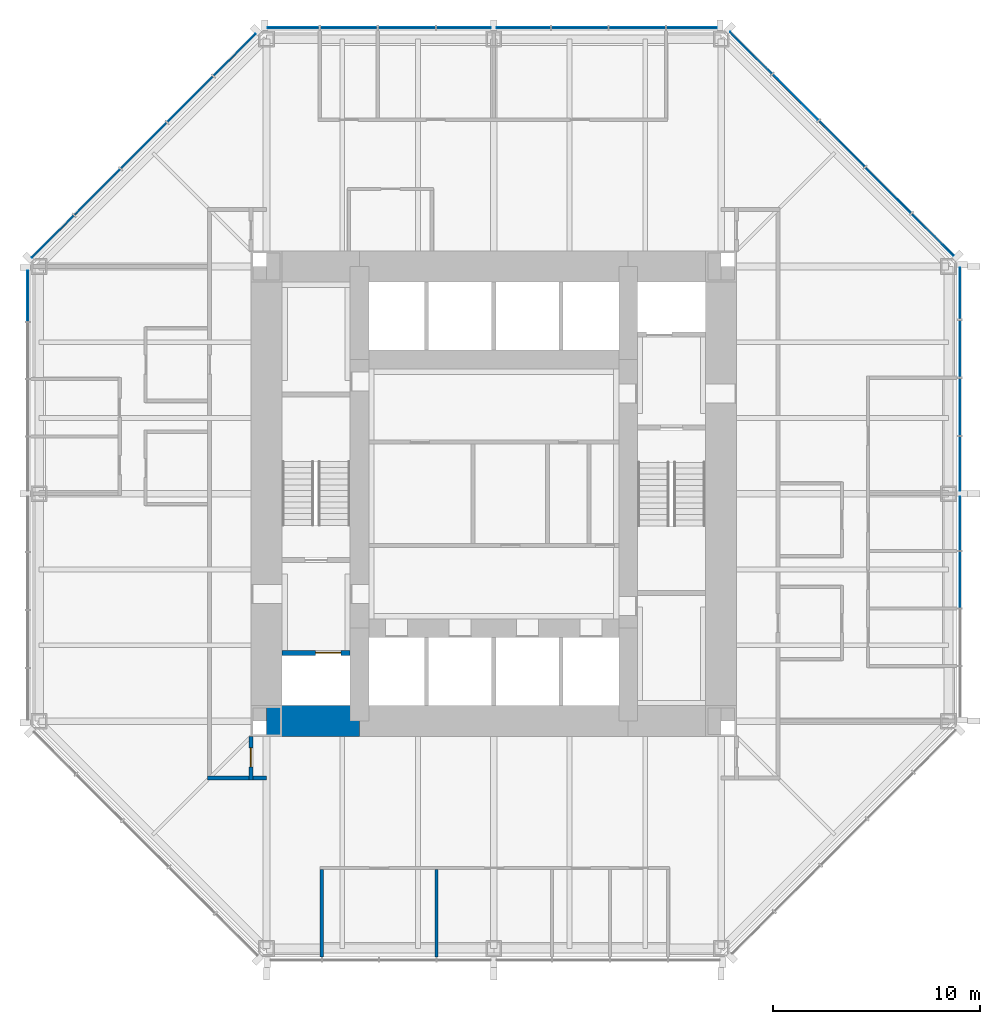
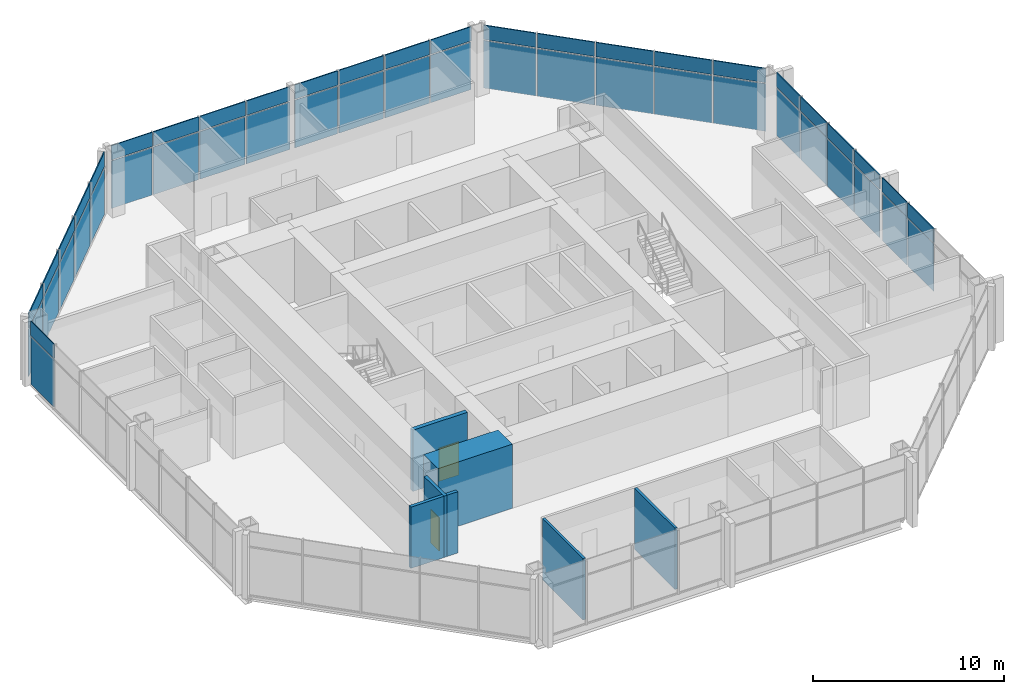
# One storey, part 8 of 12: 50 plates, 6 walls, 2 doors, 2 openings, 5 elements without a shape of their own.
"""IFC4 building model written with IfcOpenShell, lengths in metres."""

from ifc_helpers import new_model, si_unit, direction, frame, frame_2d, origin, origin_2d, place, context, subcontext, project, spatial, rectangle, extrude, material, layer, layer_set, type_object, element, fill, aggregate, save


model = new_model("IFC4")

# Units and contexts
model_context = context("Model", 3, precision=1e-05, world=origin(), true_north=direction((0.0, 1.0)))
body_context = subcontext(model_context, "Body", "Model", "MODEL_VIEW")
ifc_project = project(units=[si_unit("LENGTHUNIT", "METRE"), si_unit("AREAUNIT", "SQUARE_METRE"), si_unit("VOLUMEUNIT", "CUBIC_METRE"), si_unit("PLANEANGLEUNIT", "RADIAN"), si_unit("MASSUNIT", "GRAM", prefix="KILO")], contexts=[model_context])

# Site, building, storey
site_placement = place(None, origin())
site = spatial("IfcSite", under=ifc_project, at=site_placement, CompositionType="ELEMENT")
building_placement = place(site_placement, origin())
building = spatial("IfcBuilding", under=site, at=building_placement, Name="Trevanion Tower", CompositionType="ELEMENT")
storey_placement = place(building_placement, frame((0.0, 0.0, 137.699951171875)))
storey = spatial("IfcBuildingStorey", under=building, at=storey_placement, Name="L32", CompositionType="ELEMENT", Elevation=137.699951171875)

# Curtain wall, plates
ifc_material_1 = material(Name="Aluminium and glass", Category="aluminium")
curtain_wall_type = type_object("IfcCurtainWallType", Name="CW2 curtain wall", PredefinedType="USERDEFINED", material=ifc_material_1)
curtain_wall_1_placement = place(storey_placement, origin())
curtain_wall_1 = element("IfcCurtainWall", 1, at=curtain_wall_1_placement, inside=storey, type_object=curtain_wall_type, Name="CW2 L32 0", ObjectType="UNITISED CURTAIN WALL", PredefinedType="USERDEFINED")
ifc_material_2 = material(Name="Aluminium spandrel panel", Category="aluminium")
ifc_layer_1 = layer(ifc_material_2, 0.06005859375)
ifc_layer_set_1 = layer_set([ifc_layer_1], Name="CW2 spandrel panel")
plate_type_1 = type_object("IfcPlateType", Name="CW2 spandrel panel", PredefinedType="CURTAIN_PANEL", material=ifc_layer_set_1)
plate_1_placement = place(storey_placement, frame((22.550048828125, -4.16162109375, 2.99755859375), z_axis=(0.0, 0.0, 1.0), x_axis=(0.0, 1.0, 0.0)))
plate_1 = element("IfcPlate", 2, at=plate_1_placement, type_object=plate_type_1, Name="CW2 panel 3.2", PredefinedType="CURTAIN_PANEL", context=body_context, shape_type="SweptSolid", body=[
    extrude(rectangle(XDim=2.699462890625, YDim=0.06005859375, at=origin_2d()), origin(), (0.0, 0.0, 1.0), 0.91259765625),
])
plate_2_placement = place(storey_placement, frame((22.550048828125, -1.443603515625, 2.99755859375), z_axis=(0.0, 0.0, 1.0), x_axis=(0.0, 1.0, 0.0)))
plate_2 = element("IfcPlate", 3, at=plate_2_placement, type_object=plate_type_1, Name="CW2 panel 4.2", PredefinedType="CURTAIN_PANEL", context=body_context, shape_type="SweptSolid", body=[
    extrude(rectangle(XDim=2.5869140625, YDim=0.06005859375, at=origin_2d()), origin(), (0.0, 0.0, 1.0), 0.91259765625),
])
plate_3_placement = place(storey_placement, frame((22.550048828125, 1.459716796875, 2.99755859375), z_axis=(0.0, 0.0, 1.0), x_axis=(0.0, 1.0, 0.0)))
plate_3 = element("IfcPlate", 4, at=plate_3_placement, type_object=plate_type_1, Name="CW2 panel 5.2", PredefinedType="CURTAIN_PANEL", context=body_context, shape_type="SweptSolid", body=[
    extrude(rectangle(XDim=2.619384765625, YDim=0.06005859375, at=origin_2d()), origin(), (0.0, 0.0, 1.0), 0.91259765625),
])
plate_4_placement = place(storey_placement, frame((22.550048828125, 4.21044921875, 2.99755859375), z_axis=(0.0, 0.0, 1.0), x_axis=(0.0, 1.0, 0.0)))
plate_4 = element("IfcPlate", 5, at=plate_4_placement, type_object=plate_type_1, Name="CW2 panel 6.2", PredefinedType="CURTAIN_PANEL", context=body_context, shape_type="SweptSolid", body=[
    extrude(rectangle(XDim=2.73193359375, YDim=0.06005859375, at=origin_2d()), origin(), (0.0, 0.0, 1.0), 0.91259765625),
])
plate_5_placement = place(storey_placement, frame((22.550048828125, 7.017333984375, 2.99755859375), z_axis=(0.0, 0.0, 1.0), x_axis=(0.0, 1.0, 0.0)))
plate_5 = element("IfcPlate", 6, at=plate_5_placement, type_object=plate_type_1, Name="CW2 panel 7.2", PredefinedType="CURTAIN_PANEL", context=body_context, shape_type="SweptSolid", body=[
    extrude(rectangle(XDim=2.73193359375, YDim=0.06005859375, at=origin_2d()), origin(), (0.0, 0.0, 1.0), 0.91259765625),
])
plate_6_placement = place(storey_placement, frame((22.550048828125, 9.693115234375, 2.99755859375), z_axis=(0.0, 0.0, 1.0), x_axis=(0.0, 1.0, 0.0)))
plate_6 = element("IfcPlate", 7, at=plate_6_placement, type_object=plate_type_1, Name="CW2 panel 8.2", PredefinedType="CURTAIN_PANEL", context=body_context, shape_type="SweptSolid", body=[
    extrude(rectangle(XDim=2.469482421875, YDim=0.06005859375, at=origin_2d()), origin(), (0.0, 0.0, 1.0), 0.91259765625),
])

curtain_wall_2_placement = place(storey_placement, origin())
curtain_wall_2 = element("IfcCurtainWall", 8, at=curtain_wall_2_placement, inside=storey, type_object=curtain_wall_type, Name="CW2 L32 1", ObjectType="UNITISED CURTAIN WALL", PredefinedType="USERDEFINED")
plate_7_placement = place(storey_placement, frame((21.2421875, 12.53564453125, 2.99755859375), z_axis=(0.0, 0.0, 1.0), x_axis=(-0.707106781187, 0.707106781187, 0.0)))
plate_7 = element("IfcPlate", 9, at=plate_7_placement, type_object=plate_type_1, Name="CW2 panel 1.2", PredefinedType="CURTAIN_PANEL", context=body_context, shape_type="SweptSolid", body=[
    extrude(rectangle(XDim=2.8388671875, YDim=0.06005859375, at=origin_2d()), origin(), (0.0, 0.0, 1.0), 0.91259765625),
])
plate_8_placement = place(storey_placement, frame((19.089111328125, 14.688720703125, 2.99755859375), z_axis=(0.0, 0.0, 1.0), x_axis=(-0.707106781187, 0.707106781187, 0.0)))
plate_8 = element("IfcPlate", 10, at=plate_8_placement, type_object=plate_type_1, Name="CW2 panel 2.2", PredefinedType="CURTAIN_PANEL", context=body_context, shape_type="SweptSolid", body=[
    extrude(rectangle(XDim=3.101318359375, YDim=0.06005859375, at=origin_2d()), origin(), (0.0, 0.0, 1.0), 0.91259765625),
])
plate_9_placement = place(storey_placement, frame((16.843017578125, 16.934814453125, 2.99755859375), z_axis=(0.0, 0.0, 1.0), x_axis=(-0.707106781187, 0.707106781187, 0.0)))
plate_9 = element("IfcPlate", 11, at=plate_9_placement, type_object=plate_type_1, Name="CW2 panel 3.2", PredefinedType="CURTAIN_PANEL", context=body_context, shape_type="SweptSolid", body=[
    extrude(rectangle(XDim=3.101318359375, YDim=0.06005859375, at=origin_2d()), origin(), (0.0, 0.0, 1.0), 0.91259765625),
])
plate_10_placement = place(storey_placement, frame((14.596923828125, 19.180908203125, 2.99755859375), z_axis=(0.0, 0.0, 1.0), x_axis=(-0.707106781187, 0.707106781187, 0.0)))
plate_10 = element("IfcPlate", 12, at=plate_10_placement, type_object=plate_type_1, Name="CW2 panel 4.2", PredefinedType="CURTAIN_PANEL", context=body_context, shape_type="SweptSolid", body=[
    extrude(rectangle(XDim=3.101318359375, YDim=0.06005859375, at=origin_2d()), origin(), (0.0, 0.0, 1.0), 0.91259765625),
])
plate_11_placement = place(storey_placement, frame((12.443603515625, 21.334228515625, 2.99755859375), z_axis=(0.0, 0.0, 1.0), x_axis=(-0.707106781187, 0.707106781187, 0.0)))
plate_11 = element("IfcPlate", 13, at=plate_11_placement, type_object=plate_type_1, Name="CW2 panel 5.2", PredefinedType="CURTAIN_PANEL", context=body_context, shape_type="SweptSolid", body=[
    extrude(rectangle(XDim=2.8388671875, YDim=0.06005859375, at=origin_2d()), origin(), (0.0, 0.0, 1.0), 0.91259765625),
])

curtain_wall_3_placement = place(storey_placement, origin())
curtain_wall_3 = element("IfcCurtainWall", 14, at=curtain_wall_3_placement, inside=storey, type_object=curtain_wall_type, Name="CW2 L32 2", ObjectType="UNITISED CURTAIN WALL", PredefinedType="USERDEFINED")
plate_12_placement = place(storey_placement, frame((9.579345703125, 22.550048828125, 2.99755859375), z_axis=(0.0, 0.0, 1.0), x_axis=(-1.0, 0.0, 0.0)))
plate_12 = element("IfcPlate", 15, at=plate_12_placement, type_object=plate_type_1, Name="CW2 panel 1.2", PredefinedType="CURTAIN_PANEL", context=body_context, shape_type="SweptSolid", body=[
    extrude(rectangle(XDim=2.43701171875, YDim=0.06005859375, at=origin_2d()), origin(), (0.0, 0.0, 1.0), 0.91259765625),
])
plate_13_placement = place(storey_placement, frame((6.93603515625, 22.550048828125, 2.99755859375), z_axis=(0.0, 0.0, 1.0), x_axis=(-1.0, 0.0, 0.0)))
plate_13 = element("IfcPlate", 16, at=plate_13_placement, type_object=plate_type_1, Name="CW2 panel 2.2", PredefinedType="CURTAIN_PANEL", context=body_context, shape_type="SweptSolid", body=[
    extrude(rectangle(XDim=2.699462890625, YDim=0.06005859375, at=origin_2d()), origin(), (0.0, 0.0, 1.0), 0.91259765625),
])
plate_14_placement = place(storey_placement, frame((4.16162109375, 22.550048828125, 2.99755859375), z_axis=(0.0, 0.0, 1.0), x_axis=(-1.0, 0.0, 0.0)))
plate_14 = element("IfcPlate", 17, at=plate_14_placement, type_object=plate_type_1, Name="CW2 panel 3.2", PredefinedType="CURTAIN_PANEL", context=body_context, shape_type="SweptSolid", body=[
    extrude(rectangle(XDim=2.699462890625, YDim=0.06005859375, at=origin_2d()), origin(), (0.0, 0.0, 1.0), 0.91259765625),
])
plate_15_placement = place(storey_placement, frame((1.443603515625, 22.550048828125, 2.99755859375), z_axis=(0.0, 0.0, 1.0), x_axis=(-1.0, 0.0, 0.0)))
plate_15 = element("IfcPlate", 18, at=plate_15_placement, type_object=plate_type_1, Name="CW2 panel 4.2", PredefinedType="CURTAIN_PANEL", context=body_context, shape_type="SweptSolid", body=[
    extrude(rectangle(XDim=2.5869140625, YDim=0.06005859375, at=origin_2d()), origin(), (0.0, 0.0, 1.0), 0.91259765625),
])
plate_16_placement = place(storey_placement, frame((-1.459716796875, 22.550048828125, 2.99755859375), z_axis=(0.0, 0.0, 1.0), x_axis=(-1.0, 0.0, 0.0)))
plate_16 = element("IfcPlate", 19, at=plate_16_placement, type_object=plate_type_1, Name="CW2 panel 5.2", PredefinedType="CURTAIN_PANEL", context=body_context, shape_type="SweptSolid", body=[
    extrude(rectangle(XDim=2.619384765625, YDim=0.06005859375, at=origin_2d()), origin(), (0.0, 0.0, 1.0), 0.91259765625),
])
plate_17_placement = place(storey_placement, frame((-4.21044921875, 22.550048828125, 2.99755859375), z_axis=(0.0, 0.0, 1.0), x_axis=(-1.0, 0.0, 0.0)))
plate_17 = element("IfcPlate", 20, at=plate_17_placement, type_object=plate_type_1, Name="CW2 panel 6.2", PredefinedType="CURTAIN_PANEL", context=body_context, shape_type="SweptSolid", body=[
    extrude(rectangle(XDim=2.73193359375, YDim=0.06005859375, at=origin_2d()), origin(), (0.0, 0.0, 1.0), 0.91259765625),
])
plate_18_placement = place(storey_placement, frame((-7.017333984375, 22.550048828125, 2.99755859375), z_axis=(0.0, 0.0, 1.0), x_axis=(-1.0, 0.0, 0.0)))
plate_18 = element("IfcPlate", 21, at=plate_18_placement, type_object=plate_type_1, Name="CW2 panel 7.2", PredefinedType="CURTAIN_PANEL", context=body_context, shape_type="SweptSolid", body=[
    extrude(rectangle(XDim=2.73193359375, YDim=0.06005859375, at=origin_2d()), origin(), (0.0, 0.0, 1.0), 0.91259765625),
])
plate_19_placement = place(storey_placement, frame((-9.693115234375, 22.550048828125, 2.99755859375), z_axis=(0.0, 0.0, 1.0), x_axis=(-1.0, 0.0, 0.0)))
plate_19 = element("IfcPlate", 22, at=plate_19_placement, type_object=plate_type_1, Name="CW2 panel 8.2", PredefinedType="CURTAIN_PANEL", context=body_context, shape_type="SweptSolid", body=[
    extrude(rectangle(XDim=2.469482421875, YDim=0.06005859375, at=origin_2d()), origin(), (0.0, 0.0, 1.0), 0.91259765625),
])

curtain_wall_4_placement = place(storey_placement, origin())
curtain_wall_4 = element("IfcCurtainWall", 23, at=curtain_wall_4_placement, inside=storey, type_object=curtain_wall_type, Name="CW2 L32 3", ObjectType="UNITISED CURTAIN WALL", PredefinedType="USERDEFINED")
plate_20_placement = place(storey_placement, frame((-12.53564453125, 21.2421875, 2.99755859375), z_axis=(0.0, 0.0, 1.0), x_axis=(-0.707106781187, -0.707106781187, 0.0)))
plate_20 = element("IfcPlate", 24, at=plate_20_placement, type_object=plate_type_1, Name="CW2 panel 1.2", PredefinedType="CURTAIN_PANEL", context=body_context, shape_type="SweptSolid", body=[
    extrude(rectangle(XDim=2.8388671875, YDim=0.06005859375, at=origin_2d()), origin(), (0.0, 0.0, 1.0), 0.91259765625),
])
plate_21_placement = place(storey_placement, frame((-14.688720703125, 19.089111328125, 2.99755859375), z_axis=(0.0, 0.0, 1.0), x_axis=(-0.707106781187, -0.707106781187, 0.0)))
plate_21 = element("IfcPlate", 25, at=plate_21_placement, type_object=plate_type_1, Name="CW2 panel 2.2", PredefinedType="CURTAIN_PANEL", context=body_context, shape_type="SweptSolid", body=[
    extrude(rectangle(XDim=3.101318359375, YDim=0.06005859375, at=origin_2d()), origin(), (0.0, 0.0, 1.0), 0.91259765625),
])
plate_22_placement = place(storey_placement, frame((-16.934814453125, 16.843017578125, 2.99755859375), z_axis=(0.0, 0.0, 1.0), x_axis=(-0.707106781187, -0.707106781187, 0.0)))
plate_22 = element("IfcPlate", 26, at=plate_22_placement, type_object=plate_type_1, Name="CW2 panel 3.2", PredefinedType="CURTAIN_PANEL", context=body_context, shape_type="SweptSolid", body=[
    extrude(rectangle(XDim=3.101318359375, YDim=0.06005859375, at=origin_2d()), origin(), (0.0, 0.0, 1.0), 0.91259765625),
])
plate_23_placement = place(storey_placement, frame((-19.180908203125, 14.596923828125, 2.99755859375), z_axis=(0.0, 0.0, 1.0), x_axis=(-0.707106781187, -0.707106781187, 0.0)))
plate_23 = element("IfcPlate", 27, at=plate_23_placement, type_object=plate_type_1, Name="CW2 panel 4.2", PredefinedType="CURTAIN_PANEL", context=body_context, shape_type="SweptSolid", body=[
    extrude(rectangle(XDim=3.101318359375, YDim=0.06005859375, at=origin_2d()), origin(), (0.0, 0.0, 1.0), 0.91259765625),
])
plate_24_placement = place(storey_placement, frame((-21.334228515625, 12.443603515625, 2.99755859375), z_axis=(0.0, 0.0, 1.0), x_axis=(-0.707106781187, -0.707106781187, 0.0)))
plate_24 = element("IfcPlate", 28, at=plate_24_placement, type_object=plate_type_1, Name="CW2 panel 5.2", PredefinedType="CURTAIN_PANEL", context=body_context, shape_type="SweptSolid", body=[
    extrude(rectangle(XDim=2.8388671875, YDim=0.06005859375, at=origin_2d()), origin(), (0.0, 0.0, 1.0), 0.91259765625),
])

# Curtain wall, plate
curtain_wall_5_placement = place(storey_placement, origin())
curtain_wall_5 = element("IfcCurtainWall", 29, at=curtain_wall_5_placement, inside=storey, type_object=curtain_wall_type, Name="CW2 L32 4", ObjectType="UNITISED CURTAIN WALL", PredefinedType="USERDEFINED")
plate_25_placement = place(storey_placement, frame((-22.550048828125, 9.579345703125, 2.99755859375), z_axis=(0.0, 0.0, 1.0), x_axis=(0.0, -1.0, 0.0)))
plate_25 = element("IfcPlate", 30, at=plate_25_placement, type_object=plate_type_1, Name="CW2 panel 1.2", PredefinedType="CURTAIN_PANEL", context=body_context, shape_type="SweptSolid", body=[
    extrude(rectangle(XDim=2.43701171875, YDim=0.06005859375, at=origin_2d()), origin(), (0.0, 0.0, 1.0), 0.91259765625),
])

# Plate
ifc_material_3 = material(Name="Insulating glass unit", Category="glass")
ifc_layer_2 = layer(ifc_material_3, 0.028076171875)
ifc_layer_set_2 = layer_set([ifc_layer_2], Name="CW2 vision panel")
plate_type_2 = type_object("IfcPlateType", Name="CW2 vision panel", PredefinedType="CURTAIN_PANEL", material=ifc_layer_set_2)
plate_26_placement = place(storey_placement, frame((22.550048828125, -4.16162109375, -0.114990234375), z_axis=(0.0, 0.0, 1.0), x_axis=(0.0, 1.0, 0.0)))
plate_26 = element("IfcPlate", 31, at=plate_26_placement, type_object=plate_type_2, Name="CW2 panel 3.1", PredefinedType="CURTAIN_PANEL", context=body_context, shape_type="SweptSolid", body=[
    extrude(rectangle(XDim=2.699462890625, YDim=0.028076171875, at=origin_2d()), origin(), (0.0, 0.0, 1.0), 3.03759765625),
])

plate_27_placement = place(storey_placement, frame((22.550048828125, -1.443603515625, -0.114990234375), z_axis=(0.0, 0.0, 1.0), x_axis=(0.0, 1.0, 0.0)))
plate_27 = element("IfcPlate", 32, at=plate_27_placement, type_object=plate_type_2, Name="CW2 panel 4.1", PredefinedType="CURTAIN_PANEL", context=body_context, shape_type="SweptSolid", body=[
    extrude(rectangle(XDim=2.5869140625, YDim=0.028076171875, at=origin_2d()), origin(), (0.0, 0.0, 1.0), 3.03759765625),
])

plate_28_placement = place(storey_placement, frame((22.550048828125, 1.459716796875, -0.114990234375), z_axis=(0.0, 0.0, 1.0), x_axis=(0.0, 1.0, 0.0)))
plate_28 = element("IfcPlate", 33, at=plate_28_placement, type_object=plate_type_2, Name="CW2 panel 5.1", PredefinedType="CURTAIN_PANEL", context=body_context, shape_type="SweptSolid", body=[
    extrude(rectangle(XDim=2.619384765625, YDim=0.028076171875, at=origin_2d()), origin(), (0.0, 0.0, 1.0), 3.03759765625),
])

plate_29_placement = place(storey_placement, frame((22.550048828125, 4.21044921875, -0.114990234375), z_axis=(0.0, 0.0, 1.0), x_axis=(0.0, 1.0, 0.0)))
plate_29 = element("IfcPlate", 34, at=plate_29_placement, type_object=plate_type_2, Name="CW2 panel 6.1", PredefinedType="CURTAIN_PANEL", context=body_context, shape_type="SweptSolid", body=[
    extrude(rectangle(XDim=2.73193359375, YDim=0.028076171875, at=origin_2d()), origin(), (0.0, 0.0, 1.0), 3.03759765625),
])

plate_30_placement = place(storey_placement, frame((22.550048828125, 7.017333984375, -0.114990234375), z_axis=(0.0, 0.0, 1.0), x_axis=(0.0, 1.0, 0.0)))
plate_30 = element("IfcPlate", 35, at=plate_30_placement, type_object=plate_type_2, Name="CW2 panel 7.1", PredefinedType="CURTAIN_PANEL", context=body_context, shape_type="SweptSolid", body=[
    extrude(rectangle(XDim=2.73193359375, YDim=0.028076171875, at=origin_2d()), origin(), (0.0, 0.0, 1.0), 3.03759765625),
])

plate_31_placement = place(storey_placement, frame((22.550048828125, 9.693115234375, -0.114990234375), z_axis=(0.0, 0.0, 1.0), x_axis=(0.0, 1.0, 0.0)))
plate_31 = element("IfcPlate", 36, at=plate_31_placement, type_object=plate_type_2, Name="CW2 panel 8.1", PredefinedType="CURTAIN_PANEL", context=body_context, shape_type="SweptSolid", body=[
    extrude(rectangle(XDim=2.469482421875, YDim=0.028076171875, at=origin_2d()), origin(), (0.0, 0.0, 1.0), 3.03759765625),
])

aggregate(curtain_wall_1, [plate_26, plate_1, plate_27, plate_2, plate_28, plate_3, plate_29, plate_4, plate_30, plate_5, plate_31, plate_6])

plate_32_placement = place(storey_placement, frame((21.2421875, 12.53564453125, -0.114990234375), z_axis=(0.0, 0.0, 1.0), x_axis=(-0.707106781187, 0.707106781187, 0.0)))
plate_32 = element("IfcPlate", 37, at=plate_32_placement, type_object=plate_type_2, Name="CW2 panel 1.1", PredefinedType="CURTAIN_PANEL", context=body_context, shape_type="SweptSolid", body=[
    extrude(rectangle(XDim=2.8388671875, YDim=0.028076171875, at=origin_2d()), origin(), (0.0, 0.0, 1.0), 3.03759765625),
])

plate_33_placement = place(storey_placement, frame((19.089111328125, 14.688720703125, -0.114990234375), z_axis=(0.0, 0.0, 1.0), x_axis=(-0.707106781187, 0.707106781187, 0.0)))
plate_33 = element("IfcPlate", 38, at=plate_33_placement, type_object=plate_type_2, Name="CW2 panel 2.1", PredefinedType="CURTAIN_PANEL", context=body_context, shape_type="SweptSolid", body=[
    extrude(rectangle(XDim=3.101318359375, YDim=0.028076171875, at=origin_2d()), origin(), (0.0, 0.0, 1.0), 3.03759765625),
])

plate_34_placement = place(storey_placement, frame((16.843017578125, 16.934814453125, -0.114990234375), z_axis=(0.0, 0.0, 1.0), x_axis=(-0.707106781187, 0.707106781187, 0.0)))
plate_34 = element("IfcPlate", 39, at=plate_34_placement, type_object=plate_type_2, Name="CW2 panel 3.1", PredefinedType="CURTAIN_PANEL", context=body_context, shape_type="SweptSolid", body=[
    extrude(rectangle(XDim=3.101318359375, YDim=0.028076171875, at=origin_2d()), origin(), (0.0, 0.0, 1.0), 3.03759765625),
])

plate_35_placement = place(storey_placement, frame((14.596923828125, 19.180908203125, -0.114990234375), z_axis=(0.0, 0.0, 1.0), x_axis=(-0.707106781187, 0.707106781187, 0.0)))
plate_35 = element("IfcPlate", 40, at=plate_35_placement, type_object=plate_type_2, Name="CW2 panel 4.1", PredefinedType="CURTAIN_PANEL", context=body_context, shape_type="SweptSolid", body=[
    extrude(rectangle(XDim=3.101318359375, YDim=0.028076171875, at=origin_2d()), origin(), (0.0, 0.0, 1.0), 3.03759765625),
])

plate_36_placement = place(storey_placement, frame((12.443603515625, 21.334228515625, -0.114990234375), z_axis=(0.0, 0.0, 1.0), x_axis=(-0.707106781187, 0.707106781187, 0.0)))
plate_36 = element("IfcPlate", 41, at=plate_36_placement, type_object=plate_type_2, Name="CW2 panel 5.1", PredefinedType="CURTAIN_PANEL", context=body_context, shape_type="SweptSolid", body=[
    extrude(rectangle(XDim=2.8388671875, YDim=0.028076171875, at=origin_2d()), origin(), (0.0, 0.0, 1.0), 3.03759765625),
])

aggregate(curtain_wall_2, [plate_32, plate_7, plate_33, plate_8, plate_34, plate_9, plate_35, plate_10, plate_36, plate_11])

plate_37_placement = place(storey_placement, frame((9.579345703125, 22.550048828125, -0.114990234375), z_axis=(0.0, 0.0, 1.0), x_axis=(-1.0, 0.0, 0.0)))
plate_37 = element("IfcPlate", 42, at=plate_37_placement, type_object=plate_type_2, Name="CW2 panel 1.1", PredefinedType="CURTAIN_PANEL", context=body_context, shape_type="SweptSolid", body=[
    extrude(rectangle(XDim=2.43701171875, YDim=0.028076171875, at=origin_2d()), origin(), (0.0, 0.0, 1.0), 3.03759765625),
])

plate_38_placement = place(storey_placement, frame((6.93603515625, 22.550048828125, -0.114990234375), z_axis=(0.0, 0.0, 1.0), x_axis=(-1.0, 0.0, 0.0)))
plate_38 = element("IfcPlate", 43, at=plate_38_placement, type_object=plate_type_2, Name="CW2 panel 2.1", PredefinedType="CURTAIN_PANEL", context=body_context, shape_type="SweptSolid", body=[
    extrude(rectangle(XDim=2.699462890625, YDim=0.028076171875, at=origin_2d()), origin(), (0.0, 0.0, 1.0), 3.03759765625),
])

plate_39_placement = place(storey_placement, frame((4.16162109375, 22.550048828125, -0.114990234375), z_axis=(0.0, 0.0, 1.0), x_axis=(-1.0, 0.0, 0.0)))
plate_39 = element("IfcPlate", 44, at=plate_39_placement, type_object=plate_type_2, Name="CW2 panel 3.1", PredefinedType="CURTAIN_PANEL", context=body_context, shape_type="SweptSolid", body=[
    extrude(rectangle(XDim=2.699462890625, YDim=0.028076171875, at=origin_2d()), origin(), (0.0, 0.0, 1.0), 3.03759765625),
])

plate_40_placement = place(storey_placement, frame((1.443603515625, 22.550048828125, -0.114990234375), z_axis=(0.0, 0.0, 1.0), x_axis=(-1.0, 0.0, 0.0)))
plate_40 = element("IfcPlate", 45, at=plate_40_placement, type_object=plate_type_2, Name="CW2 panel 4.1", PredefinedType="CURTAIN_PANEL", context=body_context, shape_type="SweptSolid", body=[
    extrude(rectangle(XDim=2.5869140625, YDim=0.028076171875, at=origin_2d()), origin(), (0.0, 0.0, 1.0), 3.03759765625),
])

plate_41_placement = place(storey_placement, frame((-1.459716796875, 22.550048828125, -0.114990234375), z_axis=(0.0, 0.0, 1.0), x_axis=(-1.0, 0.0, 0.0)))
plate_41 = element("IfcPlate", 46, at=plate_41_placement, type_object=plate_type_2, Name="CW2 panel 5.1", PredefinedType="CURTAIN_PANEL", context=body_context, shape_type="SweptSolid", body=[
    extrude(rectangle(XDim=2.619384765625, YDim=0.028076171875, at=origin_2d()), origin(), (0.0, 0.0, 1.0), 3.03759765625),
])

plate_42_placement = place(storey_placement, frame((-4.21044921875, 22.550048828125, -0.114990234375), z_axis=(0.0, 0.0, 1.0), x_axis=(-1.0, 0.0, 0.0)))
plate_42 = element("IfcPlate", 47, at=plate_42_placement, type_object=plate_type_2, Name="CW2 panel 6.1", PredefinedType="CURTAIN_PANEL", context=body_context, shape_type="SweptSolid", body=[
    extrude(rectangle(XDim=2.73193359375, YDim=0.028076171875, at=origin_2d()), origin(), (0.0, 0.0, 1.0), 3.03759765625),
])

plate_43_placement = place(storey_placement, frame((-7.017333984375, 22.550048828125, -0.114990234375), z_axis=(0.0, 0.0, 1.0), x_axis=(-1.0, 0.0, 0.0)))
plate_43 = element("IfcPlate", 48, at=plate_43_placement, type_object=plate_type_2, Name="CW2 panel 7.1", PredefinedType="CURTAIN_PANEL", context=body_context, shape_type="SweptSolid", body=[
    extrude(rectangle(XDim=2.73193359375, YDim=0.028076171875, at=origin_2d()), origin(), (0.0, 0.0, 1.0), 3.03759765625),
])

plate_44_placement = place(storey_placement, frame((-9.693115234375, 22.550048828125, -0.114990234375), z_axis=(0.0, 0.0, 1.0), x_axis=(-1.0, 0.0, 0.0)))
plate_44 = element("IfcPlate", 49, at=plate_44_placement, type_object=plate_type_2, Name="CW2 panel 8.1", PredefinedType="CURTAIN_PANEL", context=body_context, shape_type="SweptSolid", body=[
    extrude(rectangle(XDim=2.469482421875, YDim=0.028076171875, at=origin_2d()), origin(), (0.0, 0.0, 1.0), 3.03759765625),
])

aggregate(curtain_wall_3, [plate_37, plate_12, plate_38, plate_13, plate_39, plate_14, plate_40, plate_15, plate_41, plate_16, plate_42, plate_17, plate_43, plate_18, plate_44, plate_19])

plate_45_placement = place(storey_placement, frame((-12.53564453125, 21.2421875, -0.114990234375), z_axis=(0.0, 0.0, 1.0), x_axis=(-0.707106781187, -0.707106781187, 0.0)))
plate_45 = element("IfcPlate", 50, at=plate_45_placement, type_object=plate_type_2, Name="CW2 panel 1.1", PredefinedType="CURTAIN_PANEL", context=body_context, shape_type="SweptSolid", body=[
    extrude(rectangle(XDim=2.8388671875, YDim=0.028076171875, at=origin_2d()), origin(), (0.0, 0.0, 1.0), 3.03759765625),
])

plate_46_placement = place(storey_placement, frame((-14.688720703125, 19.089111328125, -0.114990234375), z_axis=(0.0, 0.0, 1.0), x_axis=(-0.707106781187, -0.707106781187, 0.0)))
plate_46 = element("IfcPlate", 51, at=plate_46_placement, type_object=plate_type_2, Name="CW2 panel 2.1", PredefinedType="CURTAIN_PANEL", context=body_context, shape_type="SweptSolid", body=[
    extrude(rectangle(XDim=3.101318359375, YDim=0.028076171875, at=origin_2d()), origin(), (0.0, 0.0, 1.0), 3.03759765625),
])

plate_47_placement = place(storey_placement, frame((-16.934814453125, 16.843017578125, -0.114990234375), z_axis=(0.0, 0.0, 1.0), x_axis=(-0.707106781187, -0.707106781187, 0.0)))
plate_47 = element("IfcPlate", 52, at=plate_47_placement, type_object=plate_type_2, Name="CW2 panel 3.1", PredefinedType="CURTAIN_PANEL", context=body_context, shape_type="SweptSolid", body=[
    extrude(rectangle(XDim=3.101318359375, YDim=0.028076171875, at=origin_2d()), origin(), (0.0, 0.0, 1.0), 3.03759765625),
])

plate_48_placement = place(storey_placement, frame((-19.180908203125, 14.596923828125, -0.114990234375), z_axis=(0.0, 0.0, 1.0), x_axis=(-0.707106781187, -0.707106781187, 0.0)))
plate_48 = element("IfcPlate", 53, at=plate_48_placement, type_object=plate_type_2, Name="CW2 panel 4.1", PredefinedType="CURTAIN_PANEL", context=body_context, shape_type="SweptSolid", body=[
    extrude(rectangle(XDim=3.101318359375, YDim=0.028076171875, at=origin_2d()), origin(), (0.0, 0.0, 1.0), 3.03759765625),
])

plate_49_placement = place(storey_placement, frame((-21.334228515625, 12.443603515625, -0.114990234375), z_axis=(0.0, 0.0, 1.0), x_axis=(-0.707106781187, -0.707106781187, 0.0)))
plate_49 = element("IfcPlate", 54, at=plate_49_placement, type_object=plate_type_2, Name="CW2 panel 5.1", PredefinedType="CURTAIN_PANEL", context=body_context, shape_type="SweptSolid", body=[
    extrude(rectangle(XDim=2.8388671875, YDim=0.028076171875, at=origin_2d()), origin(), (0.0, 0.0, 1.0), 3.03759765625),
])

aggregate(curtain_wall_4, [plate_45, plate_20, plate_46, plate_21, plate_47, plate_22, plate_48, plate_23, plate_49, plate_24])

plate_50_placement = place(storey_placement, frame((-22.550048828125, 9.579345703125, -0.114990234375), z_axis=(0.0, 0.0, 1.0), x_axis=(0.0, -1.0, 0.0)))
plate_50 = element("IfcPlate", 55, at=plate_50_placement, type_object=plate_type_2, Name="CW2 panel 1.1", PredefinedType="CURTAIN_PANEL", context=body_context, shape_type="SweptSolid", body=[
    extrude(rectangle(XDim=2.43701171875, YDim=0.028076171875, at=origin_2d()), origin(), (0.0, 0.0, 1.0), 3.03759765625),
])

aggregate(curtain_wall_5, [plate_50, plate_25])

# Walls
ifc_material_4 = material(Name="Concrete 10,000 psi", Category="concrete")
ifc_layer_3 = layer(ifc_material_4, 1.5)
ifc_layer_set_3 = layer_set([ifc_layer_3], Name="CW1 core wall 1500")
wall_type_1 = type_object("IfcWallType", Name="CW1 core wall 1500", PredefinedType="SHEAR", material=ifc_layer_set_3)
wall_1_placement = place(storey_placement, frame((-11.0, -11.0, 0.0), z_axis=(0.0, 0.0, 1.0), x_axis=(1.0, 0.0, 0.0)))
element("IfcWall", 56, at=wall_1_placement, inside=storey, type_object=wall_type_1, Name="CW1 CS1 L32", PredefinedType="SHEAR", context=body_context, shape_type="SweptSolid", body=[
    extrude(rectangle(XDim=4.5, YDim=1.5, at=frame_2d((2.25, 0.0))), origin(), (0.0, 0.0, 1.0), 4.10009765625),
])
ifc_material_5 = material(Name="Gypsum board on steel studs", Category="steel")
ifc_layer_4 = layer(ifc_material_5, 0.14990234375)
ifc_layer_set_4 = layer_set([ifc_layer_4], Name="PT1 partition 150")
wall_type_2 = type_object("IfcWallType", Name="PT1 partition 150", PredefinedType="PARTITIONING", material=ifc_layer_set_4)
for number, where, z_axis, x_axis, name in (
    (57, (-8.322998046875, -18.175048828125, 0.0), (0.0, 0.0, 1.0), (0.0, -1.0, 0.0), "PT1 L32 FC3S0"),
    (58, (-2.77490234375, -18.175048828125, 0.0), (0.0, 0.0, 1.0), (0.0, -1.0, 0.0), "PT1 L32 FC3S2"),
):
    element("IfcWall", number, at=place(storey_placement, frame(where, z_axis=z_axis, x_axis=x_axis)), inside=storey, type_object=wall_type_2, Name=name, PredefinedType="PARTITIONING", context=body_context, shape_type="SweptSolid", body=[
        extrude(rectangle(XDim=4.239990234375, YDim=0.14990234375, at=frame_2d((2.1201171875, 0.0))), origin(), (0.0, 0.0, 1.0), 3.91015625),
    ])

# Wall, opening, door
ifc_material_6 = material(Name="Concrete masonry, grouted", Category="masonry")
ifc_layer_5 = layer(ifc_material_6, 0.199951171875)
ifc_layer_set_5 = layer_set([ifc_layer_5], Name="PT2 partition 200 1 HR")
wall_type_3 = type_object("IfcWallType", Name="PT2 partition 200 1 HR", PredefinedType="PARTITIONING", material=ifc_layer_set_5)
wall_2_placement = place(storey_placement, frame((-11.75, -11.75, 0.0), z_axis=(0.0, 0.0, 1.0), x_axis=(0.0, -1.0, 0.0)))
wall_2 = element("IfcWall", 59, at=wall_2_placement, inside=storey, type_object=wall_type_3, Name="PT2 L32 OUSW1", PredefinedType="PARTITIONING", context=body_context, shape_type="SweptSolid", body=[
    extrude(rectangle(XDim=2.10009765625, YDim=0.199951171875, at=frame_2d((1.050048828125, 0.0))), origin(), (0.0, 0.0, 1.0), 3.91015625),
])
opening_1_placement = place(wall_2_placement, frame((0.54248046875, 0.0, 0.0)))
opening_1 = element("IfcOpeningElement", 60, at=opening_1_placement, cuts=wall_2, Name="Opening 32-022", PredefinedType="OPENING", context=body_context, shape_type="SweptSolid", body=[
    extrude(rectangle(XDim=0.9150390625, YDim=2.134033203125, at=frame_2d((0.45751953125, 1.06689453125))), frame((0.0, 0.10986328125, 0.0), z_axis=(0.0, -1.0, 0.0), x_axis=(1.0, 0.0, 0.0)), (0.0, 0.0, 1.0), 0.219970703125),
])
ifc_material_7 = material(Name="Timber veneer, fire rated", Category="wood")
door_type_1 = type_object("IfcDoorType", Name="D10 office door in a one hour wall", OperationType="SINGLE_SWING_LEFT", PredefinedType="DOOR", material=ifc_material_7)
door_1_placement = place(opening_1_placement, origin())
door_1 = element("IfcDoor", 61, at=door_1_placement, inside=storey, type_object=door_type_1, Name="Door 32-022", OperationType="SINGLE_SWING_LEFT", OverallHeight=2.134033203125, OverallWidth=0.9150390625, PredefinedType="DOOR", context=body_context, shape_type="SweptSolid", body=[
    extrude(rectangle(XDim=0.9150390625, YDim=2.134033203125, at=frame_2d((0.45751953125, 1.06689453125))), frame((0.0, 0.02490234375, 0.0), z_axis=(0.0, -1.0, 0.0), x_axis=(1.0, 0.0, 0.0)), (0.0, 0.0, 1.0), 0.050048828125),
])
fill(opening_1, door_1)

# Wall
wall_3_placement = place(storey_placement, frame((-11.0, -13.75, 0.0), z_axis=(0.0, 0.0, 1.0), x_axis=(-1.0, 0.0, 0.0)))
element("IfcWall", 62, at=wall_3_placement, inside=storey, type_object=wall_type_3, Name="PT2 L32 OUSW2", PredefinedType="PARTITIONING", context=body_context, shape_type="SweptSolid", body=[
    extrude(rectangle(XDim=2.85009765625, YDim=0.199951171875, at=frame_2d((1.425048828125, 0.0))), origin(), (0.0, 0.0, 1.0), 3.91015625),
])

# Wall, opening, door
ifc_material_8 = material(Name="Concrete masonry, grouted, two-hour", Category="masonry")
ifc_layer_6 = layer(ifc_material_8, 0.25)
ifc_layer_set_6 = layer_set([ifc_layer_6], Name="PT3 partition 250 2 HR")
wall_type_4 = type_object("IfcWallType", Name="PT3 partition 250 2 HR", PredefinedType="PARTITIONING", material=ifc_layer_set_6)
wall_4_placement = place(storey_placement, frame((-6.949951171875, -7.699951171875, 0.0), z_axis=(0.0, 0.0, 1.0), x_axis=(-1.0, 0.0, 0.0)))
wall_4 = element("IfcWall", 63, at=wall_4_placement, inside=storey, type_object=wall_type_4, Name="PT3 L32 WP3", PredefinedType="PARTITIONING", context=body_context, shape_type="SweptSolid", body=[
    extrude(rectangle(XDim=3.300048828125, YDim=0.25, at=frame_2d((1.64990234375, 0.0))), origin(), (0.0, 0.0, 1.0), 3.91015625),
])
opening_2_placement = place(wall_4_placement, frame((0.449951171875, 0.0, 0.0)))
opening_2 = element("IfcOpeningElement", 64, at=opening_2_placement, cuts=wall_4, Name="Opening 32-008", PredefinedType="OPENING", context=body_context, shape_type="SweptSolid", body=[
    extrude(rectangle(XDim=1.218994140625, YDim=2.134033203125, at=frame_2d((0.609375, 1.06689453125))), frame((0.0, 0.135009765625, 0.0), z_axis=(0.0, -1.0, 0.0), x_axis=(1.0, 0.0, 0.0)), (0.0, 0.0, 1.0), 0.27001953125),
])
ifc_material_9 = material(Name="Stainless steel, fire rated", Category="steel")
door_type_2 = type_object("IfcDoorType", Name="LD2 fire service lift landing door", OperationType="SLIDING_TO_LEFT", PredefinedType="DOOR", material=ifc_material_9)
door_2_placement = place(opening_2_placement, origin())
door_2 = element("IfcDoor", 65, at=door_2_placement, inside=storey, type_object=door_type_2, Name="Door 32-008", OperationType="SLIDING_TO_LEFT", OverallHeight=2.134033203125, OverallWidth=1.218994140625, PredefinedType="DOOR", context=body_context, shape_type="SweptSolid", body=[
    extrude(rectangle(XDim=1.218994140625, YDim=2.134033203125, at=frame_2d((0.609375, 1.06689453125))), frame((0.0, 0.02490234375, 0.0), z_axis=(0.0, -1.0, 0.0), x_axis=(1.0, 0.0, 0.0)), (0.0, 0.0, 1.0), 0.050048828125),
])
fill(opening_2, door_2)

save(model, "model.ifc")
